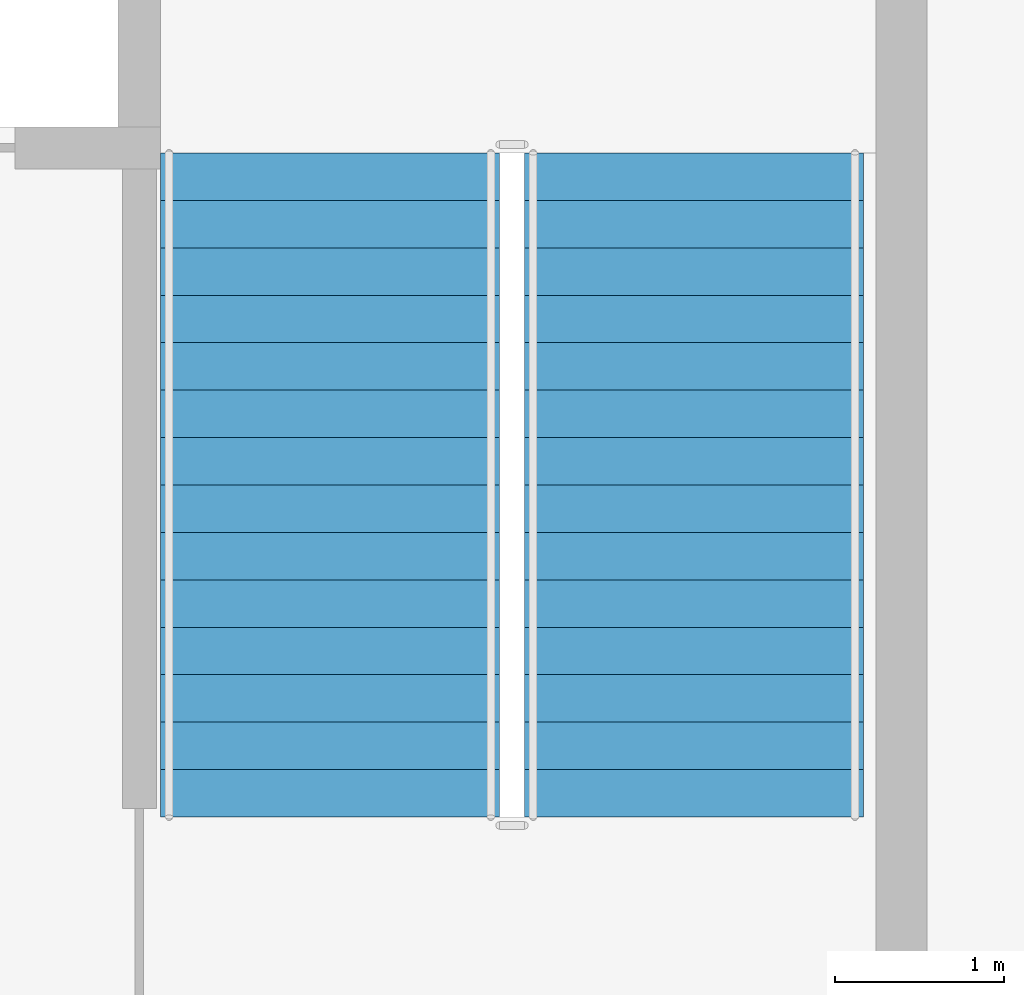
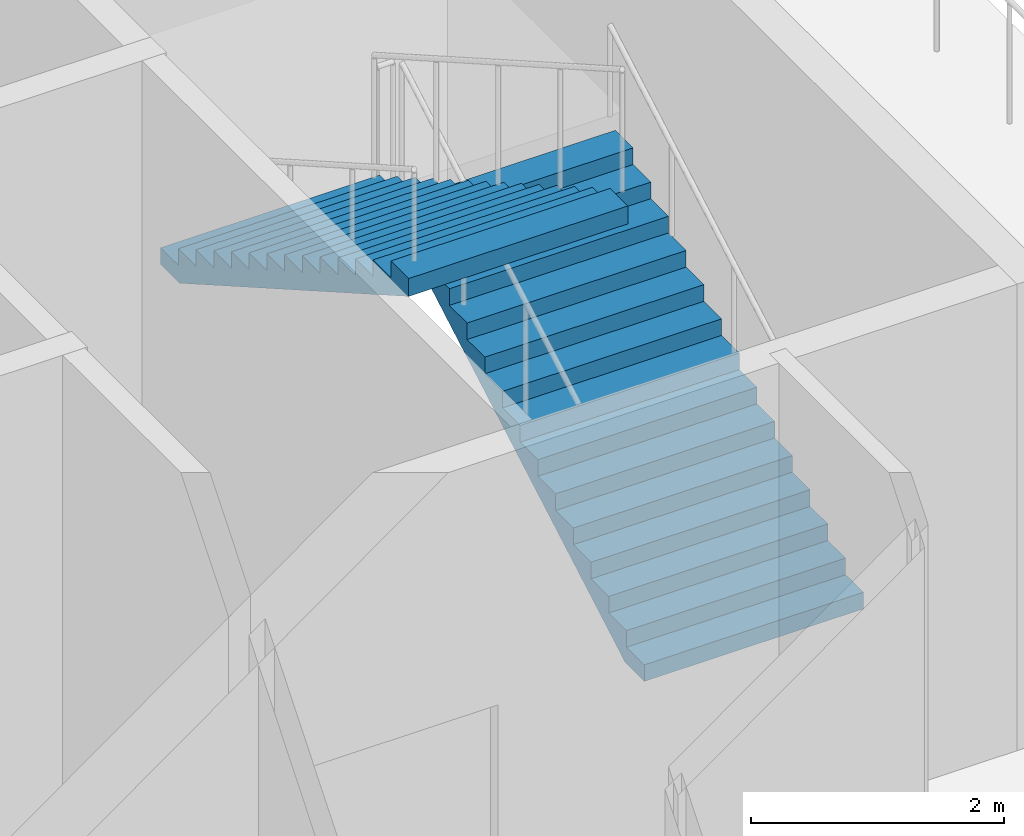
# One storey, part 6 of 10: 2 stair flights, 1 element without a shape of its own.
"""IFC4 building model written with IfcOpenShell, lengths in metres."""

from ifc_helpers import new_model, si_unit, direction, frame, origin, place, context, subcontext, project, spatial, polygons, material, type_object, element, aggregate, save


model = new_model("IFC4")

# Units and contexts
model_context = context("Model", 3, precision=1e-05, world=origin(), true_north=direction((0.0, 1.0)))
body_context = subcontext(model_context, "Body", "Model", "MODEL_VIEW")
ifc_project = project(units=[si_unit("LENGTHUNIT", "METRE"), si_unit("AREAUNIT", "SQUARE_METRE"), si_unit("VOLUMEUNIT", "CUBIC_METRE"), si_unit("PLANEANGLEUNIT", "RADIAN"), si_unit("MASSUNIT", "GRAM", prefix="KILO")], contexts=[model_context])

# Site, building, storey
site_placement = place(None, origin())
site = spatial("IfcSite", under=ifc_project, at=site_placement, CompositionType="ELEMENT")
building_placement = place(site_placement, origin())
building = spatial("IfcBuilding", under=site, at=building_placement, Name="Caravel Reach Hotel and Residences", CompositionType="ELEMENT")
storey_placement = place(building_placement, frame((0.0, 0.0, 233.10009765625)))
storey = spatial("IfcBuildingStorey", under=building, at=storey_placement, Name="L59", CompositionType="ELEMENT", Elevation=233.10009765625)

# Stair, stair flights
ifc_material_1 = material(Name="Concrete C40", Category="concrete")
stair_type = type_object("IfcStairType", Name="Core stair", PredefinedType="HALF_TURN_STAIR", material=ifc_material_1)
stair_placement = place(storey_placement, origin())
stair = element("IfcStair", 1, at=stair_placement, inside=storey, type_object=stair_type, Name="L59 Exit stair B", PredefinedType="HALF_TURN_STAIR")
ifc_material_2 = material(Name="Concrete C40", Category="concrete")
stair_flight_type = type_object("IfcStairFlightType", Name="Core stair flight", PredefinedType="STRAIGHT", material=ifc_material_2)
stair_flight_1_placement = place(storey_placement, frame((43.77490234375, 24.64990234375, 0.0), z_axis=(0.0, 0.0, 1.0), x_axis=(0.0, 1.0, 0.0)))
stair_flight_1 = element("IfcStairFlight", 2, at=stair_flight_1_placement, type_object=stair_flight_type, Name="ST-B flight 1", NumberOfRisers=15, NumberOfTreads=14, PredefinedType="STRAIGHT", RiserHeight=0.16, TreadLength=0.28, context=body_context, shape_type="Tessellation", body=[
    polygons([(0.30213783309663755, 1.0, 0.0), (0.30213783309663755, 0.6666666666666667, 0.0), (0.30213783309663755, 0.33333333333333337, 0.0), (0.30213783309663755, 0.0, 0.0), (0.30213783309663755, -0.33333333333333326, 0.0), (0.30213783309663755, -0.6666666666666667, 0.0), (0.30213783309663755, -1.0, 0.0), (3.9210000000000003, 1.0, 2.0673498096590643), (3.9210000000000003, 0.6666666666666667, 2.0673498096590643), (3.9210000000000003, 0.33333333333333337, 2.0673498096590643), (3.9210000000000003, 0.0, 2.0673498096590643), (3.9210000000000003, -0.33333333333333326, 2.0673498096590643), (3.9210000000000003, -0.6666666666666667, 2.0673498096590643), (3.9210000000000003, -1.0, 2.0673498096590643), (3.9210000000000003, 1.0, 2.24), (3.9210000000000003, 0.6666666666666667, 2.24), (3.9210000000000003, 0.33333333333333337, 2.24), (3.9210000000000003, 0.0, 2.24), (3.9210000000000003, -0.33333333333333326, 2.24), (3.9210000000000003, -0.6666666666666667, 2.24), (3.9210000000000003, -1.0, 2.24), (3.6400000000000006, 1.0, 2.24), (3.6400000000000006, 0.6666666666666667, 2.24), (3.6400000000000006, 0.33333333333333337, 2.24), (3.6400000000000006, 0.0, 2.24), (3.6400000000000006, -0.33333333333333326, 2.24), (3.6400000000000006, -0.6666666666666667, 2.24), (3.6400000000000006, -1.0, 2.24), (3.6400000000000006, 1.0, 2.08), (3.6400000000000006, 0.6666666666666667, 2.08), (3.6400000000000006, 0.33333333333333337, 2.08), (3.6400000000000006, 0.0, 2.08), (3.6400000000000006, -0.33333333333333326, 2.08), (3.6400000000000006, -0.6666666666666667, 2.08), (3.6400000000000006, -1.0, 2.08), (3.3600000000000003, 1.0, 2.08), (3.3600000000000003, 0.6666666666666667, 2.08), (3.3600000000000003, 0.33333333333333337, 2.08), (3.3600000000000003, 0.0, 2.08), (3.3600000000000003, -0.33333333333333326, 2.08), (3.3600000000000003, -0.6666666666666667, 2.08), (3.3600000000000003, -1.0, 2.08), (3.3600000000000003, 1.0, 1.92), (3.3600000000000003, 0.6666666666666667, 1.92), (3.3600000000000003, 0.33333333333333337, 1.92), (3.3600000000000003, 0.0, 1.92), (3.3600000000000003, -0.33333333333333326, 1.92), (3.3600000000000003, -0.6666666666666667, 1.92), (3.3600000000000003, -1.0, 1.92), (3.08, 1.0, 1.92), (3.08, 0.6666666666666667, 1.92), (3.08, 0.33333333333333337, 1.92), (3.08, 0.0, 1.92), (3.08, -0.33333333333333326, 1.92), (3.08, -0.6666666666666667, 1.92), (3.08, -1.0, 1.92), (3.08, 1.0, 1.76), (3.08, 0.6666666666666667, 1.76), (3.08, 0.33333333333333337, 1.76), (3.08, 0.0, 1.76), (3.08, -0.33333333333333326, 1.76), (3.08, -0.6666666666666667, 1.76), (3.08, -1.0, 1.76), (2.8000000000000003, 1.0, 1.76), (2.8000000000000003, 0.6666666666666667, 1.76), (2.8000000000000003, 0.33333333333333337, 1.76), (2.8000000000000003, 0.0, 1.76), (2.8000000000000003, -0.33333333333333326, 1.76), (2.8000000000000003, -0.6666666666666667, 1.76), (2.8000000000000003, -1.0, 1.76), (2.8000000000000003, 1.0, 1.6), (2.8000000000000003, 0.6666666666666667, 1.6), (2.8000000000000003, 0.33333333333333337, 1.6), (2.8000000000000003, 0.0, 1.6), (2.8000000000000003, -0.33333333333333326, 1.6), (2.8000000000000003, -0.6666666666666667, 1.6), (2.8000000000000003, -1.0, 1.6), (2.5200000000000005, 1.0, 1.6), (2.5200000000000005, 0.6666666666666667, 1.6), (2.5200000000000005, 0.33333333333333337, 1.6), (2.5200000000000005, 0.0, 1.6), (2.5200000000000005, -0.33333333333333326, 1.6), (2.5200000000000005, -0.6666666666666667, 1.6), (2.5200000000000005, -1.0, 1.6), (2.5200000000000005, 1.0, 1.44), (2.5200000000000005, 0.6666666666666667, 1.44), (2.5200000000000005, 0.33333333333333337, 1.44), (2.5200000000000005, 0.0, 1.44), (2.5200000000000005, -0.33333333333333326, 1.44), (2.5200000000000005, -0.6666666666666667, 1.44), (2.5200000000000005, -1.0, 1.44), (2.24, 1.0, 1.44), (2.24, 0.6666666666666667, 1.44), (2.24, 0.33333333333333337, 1.44), (2.24, 0.0, 1.44), (2.24, -0.33333333333333326, 1.44), (2.24, -0.6666666666666667, 1.44), (2.24, -1.0, 1.44), (2.24, 1.0, 1.28), (2.24, 0.6666666666666667, 1.28), (2.24, 0.33333333333333337, 1.28), (2.24, 0.0, 1.28), (2.24, -0.33333333333333326, 1.28), (2.24, -0.6666666666666667, 1.28), (2.24, -1.0, 1.28), (1.9600000000000002, 1.0, 1.28), (1.9600000000000002, 0.6666666666666667, 1.28), (1.9600000000000002, 0.33333333333333337, 1.28), (1.9600000000000002, 0.0, 1.28), (1.9600000000000002, -0.33333333333333326, 1.28), (1.9600000000000002, -0.6666666666666667, 1.28), (1.9600000000000002, -1.0, 1.28), (1.9600000000000002, 1.0, 1.12), (1.9600000000000002, 0.6666666666666667, 1.12), (1.9600000000000002, 0.33333333333333337, 1.12), (1.9600000000000002, 0.0, 1.12), (1.9600000000000002, -0.33333333333333326, 1.12), (1.9600000000000002, -0.6666666666666667, 1.12), (1.9600000000000002, -1.0, 1.12), (1.6800000000000002, 1.0, 1.12), (1.6800000000000002, 0.6666666666666667, 1.12), (1.6800000000000002, 0.33333333333333337, 1.12), (1.6800000000000002, 0.0, 1.12), (1.6800000000000002, -0.33333333333333326, 1.12), (1.6800000000000002, -0.6666666666666667, 1.12), (1.6800000000000002, -1.0, 1.12), (1.6800000000000002, 1.0, 0.96), (1.6800000000000002, 0.6666666666666667, 0.96), (1.6800000000000002, 0.33333333333333337, 0.96), (1.6800000000000002, 0.0, 0.96), (1.6800000000000002, -0.33333333333333326, 0.96), (1.6800000000000002, -0.6666666666666667, 0.96), (1.6800000000000002, -1.0, 0.96), (1.4000000000000001, 1.0, 0.96), (1.4000000000000001, 0.6666666666666667, 0.96), (1.4000000000000001, 0.33333333333333337, 0.96), (1.4000000000000001, 0.0, 0.96), (1.4000000000000001, -0.33333333333333326, 0.96), (1.4000000000000001, -0.6666666666666667, 0.96), (1.4000000000000001, -1.0, 0.96), (1.4000000000000001, 1.0, 0.8), (1.4000000000000001, 0.6666666666666667, 0.8), (1.4000000000000001, 0.33333333333333337, 0.8), (1.4000000000000001, 0.0, 0.8), (1.4000000000000001, -0.33333333333333326, 0.8), (1.4000000000000001, -0.6666666666666667, 0.8), (1.4000000000000001, -1.0, 0.8), (1.12, 1.0, 0.8), (1.12, 0.6666666666666667, 0.8), (1.12, 0.33333333333333337, 0.8), (1.12, 0.0, 0.8), (1.12, -0.33333333333333326, 0.8), (1.12, -0.6666666666666667, 0.8), (1.12, -1.0, 0.8), (1.12, 1.0, 0.64), (1.12, 0.6666666666666667, 0.64), (1.12, 0.33333333333333337, 0.64), (1.12, 0.0, 0.64), (1.12, -0.33333333333333326, 0.64), (1.12, -0.6666666666666667, 0.64), (1.12, -1.0, 0.64), (0.8400000000000001, 1.0, 0.64), (0.8400000000000001, 0.6666666666666667, 0.64), (0.8400000000000001, 0.33333333333333337, 0.64), (0.8400000000000001, 0.0, 0.64), (0.8400000000000001, -0.33333333333333326, 0.64), (0.8400000000000001, -0.6666666666666667, 0.64), (0.8400000000000001, -1.0, 0.64), (0.8400000000000001, 1.0, 0.48), (0.8400000000000001, 0.6666666666666667, 0.48), (0.8400000000000001, 0.33333333333333337, 0.48), (0.8400000000000001, 0.0, 0.48), (0.8400000000000001, -0.33333333333333326, 0.48), (0.8400000000000001, -0.6666666666666667, 0.48), (0.8400000000000001, -1.0, 0.48), (0.56, 1.0, 0.48), (0.56, 0.6666666666666667, 0.48), (0.56, 0.33333333333333337, 0.48), (0.56, 0.0, 0.48), (0.56, -0.33333333333333326, 0.48), (0.56, -0.6666666666666667, 0.48), (0.56, -1.0, 0.48), (0.56, 1.0, 0.32), (0.56, 0.6666666666666667, 0.32), (0.56, 0.33333333333333337, 0.32), (0.56, 0.0, 0.32), (0.56, -0.33333333333333326, 0.32), (0.56, -0.6666666666666667, 0.32), (0.56, -1.0, 0.32), (0.28, 1.0, 0.32), (0.28, 0.6666666666666667, 0.32), (0.28, 0.33333333333333337, 0.32), (0.28, 0.0, 0.32), (0.28, -0.33333333333333326, 0.32), (0.28, -0.6666666666666667, 0.32), (0.28, -1.0, 0.32), (0.28, 1.0, 0.16), (0.28, 0.6666666666666667, 0.16), (0.28, 0.33333333333333337, 0.16), (0.28, 0.0, 0.16), (0.28, -0.33333333333333326, 0.16), (0.28, -0.6666666666666667, 0.16), (0.28, -1.0, 0.16), (-0.001, 1.0, 0.16), (-0.001, 0.6666666666666667, 0.16), (-0.001, 0.33333333333333337, 0.16), (-0.001, 0.0, 0.16), (-0.001, -0.33333333333333326, 0.16), (-0.001, -0.6666666666666667, 0.16), (-0.001, -1.0, 0.16), (-0.001, 1.0, 0.0), (-0.001, 0.6666666666666667, 0.0), (-0.001, 0.33333333333333337, 0.0), (-0.001, 0.0, 0.0), (-0.001, -0.33333333333333326, 0.0), (-0.001, -0.6666666666666667, 0.0), (-0.001, -1.0, 0.0)], [[[211, 204, 197, 190, 183, 176, 169, 162, 155, 148, 141, 134, 127, 120, 113, 106, 99, 92, 85, 78, 71, 64, 57, 50, 43, 36, 29, 22, 15, 8, 1]], [[7, 14, 21, 28, 35, 42, 49, 56, 63, 70, 77, 84, 91, 98, 105, 112, 119, 126, 133, 140, 147, 154, 161, 168, 175, 182, 189, 196, 203, 210, 217]], [[1, 8, 9, 2]], [[2, 9, 10, 3]], [[3, 10, 11, 4]], [[4, 11, 12, 5]], [[5, 12, 13, 6]], [[6, 13, 14, 7]], [[8, 15, 16, 9]], [[9, 16, 17, 10]], [[10, 17, 18, 11]], [[11, 18, 19, 12]], [[12, 19, 20, 13]], [[13, 20, 21, 14]], [[15, 22, 23, 16]], [[16, 23, 24, 17]], [[17, 24, 25, 18]], [[18, 25, 26, 19]], [[19, 26, 27, 20]], [[20, 27, 28, 21]], [[22, 29, 30, 23]], [[23, 30, 31, 24]], [[24, 31, 32, 25]], [[25, 32, 33, 26]], [[26, 33, 34, 27]], [[27, 34, 35, 28]], [[29, 36, 37, 30]], [[30, 37, 38, 31]], [[31, 38, 39, 32]], [[32, 39, 40, 33]], [[33, 40, 41, 34]], [[34, 41, 42, 35]], [[36, 43, 44, 37]], [[37, 44, 45, 38]], [[38, 45, 46, 39]], [[39, 46, 47, 40]], [[40, 47, 48, 41]], [[41, 48, 49, 42]], [[43, 50, 51, 44]], [[44, 51, 52, 45]], [[45, 52, 53, 46]], [[46, 53, 54, 47]], [[47, 54, 55, 48]], [[48, 55, 56, 49]], [[50, 57, 58, 51]], [[51, 58, 59, 52]], [[52, 59, 60, 53]], [[53, 60, 61, 54]], [[54, 61, 62, 55]], [[55, 62, 63, 56]], [[57, 64, 65, 58]], [[58, 65, 66, 59]], [[59, 66, 67, 60]], [[60, 67, 68, 61]], [[61, 68, 69, 62]], [[62, 69, 70, 63]], [[64, 71, 72, 65]], [[65, 72, 73, 66]], [[66, 73, 74, 67]], [[67, 74, 75, 68]], [[68, 75, 76, 69]], [[69, 76, 77, 70]], [[71, 78, 79, 72]], [[72, 79, 80, 73]], [[73, 80, 81, 74]], [[74, 81, 82, 75]], [[75, 82, 83, 76]], [[76, 83, 84, 77]], [[78, 85, 86, 79]], [[79, 86, 87, 80]], [[80, 87, 88, 81]], [[81, 88, 89, 82]], [[82, 89, 90, 83]], [[83, 90, 91, 84]], [[85, 92, 93, 86]], [[86, 93, 94, 87]], [[87, 94, 95, 88]], [[88, 95, 96, 89]], [[89, 96, 97, 90]], [[90, 97, 98, 91]], [[92, 99, 100, 93]], [[93, 100, 101, 94]], [[94, 101, 102, 95]], [[95, 102, 103, 96]], [[96, 103, 104, 97]], [[97, 104, 105, 98]], [[99, 106, 107, 100]], [[100, 107, 108, 101]], [[101, 108, 109, 102]], [[102, 109, 110, 103]], [[103, 110, 111, 104]], [[104, 111, 112, 105]], [[106, 113, 114, 107]], [[107, 114, 115, 108]], [[108, 115, 116, 109]], [[109, 116, 117, 110]], [[110, 117, 118, 111]], [[111, 118, 119, 112]], [[113, 120, 121, 114]], [[114, 121, 122, 115]], [[115, 122, 123, 116]], [[116, 123, 124, 117]], [[117, 124, 125, 118]], [[118, 125, 126, 119]], [[120, 127, 128, 121]], [[121, 128, 129, 122]], [[122, 129, 130, 123]], [[123, 130, 131, 124]], [[124, 131, 132, 125]], [[125, 132, 133, 126]], [[127, 134, 135, 128]], [[128, 135, 136, 129]], [[129, 136, 137, 130]], [[130, 137, 138, 131]], [[131, 138, 139, 132]], [[132, 139, 140, 133]], [[134, 141, 142, 135]], [[135, 142, 143, 136]], [[136, 143, 144, 137]], [[137, 144, 145, 138]], [[138, 145, 146, 139]], [[139, 146, 147, 140]], [[141, 148, 149, 142]], [[142, 149, 150, 143]], [[143, 150, 151, 144]], [[144, 151, 152, 145]], [[145, 152, 153, 146]], [[146, 153, 154, 147]], [[148, 155, 156, 149]], [[149, 156, 157, 150]], [[150, 157, 158, 151]], [[151, 158, 159, 152]], [[152, 159, 160, 153]], [[153, 160, 161, 154]], [[155, 162, 163, 156]], [[156, 163, 164, 157]], [[157, 164, 165, 158]], [[158, 165, 166, 159]], [[159, 166, 167, 160]], [[160, 167, 168, 161]], [[162, 169, 170, 163]], [[163, 170, 171, 164]], [[164, 171, 172, 165]], [[165, 172, 173, 166]], [[166, 173, 174, 167]], [[167, 174, 175, 168]], [[169, 176, 177, 170]], [[170, 177, 178, 171]], [[171, 178, 179, 172]], [[172, 179, 180, 173]], [[173, 180, 181, 174]], [[174, 181, 182, 175]], [[176, 183, 184, 177]], [[177, 184, 185, 178]], [[178, 185, 186, 179]], [[179, 186, 187, 180]], [[180, 187, 188, 181]], [[181, 188, 189, 182]], [[183, 190, 191, 184]], [[184, 191, 192, 185]], [[185, 192, 193, 186]], [[186, 193, 194, 187]], [[187, 194, 195, 188]], [[188, 195, 196, 189]], [[190, 197, 198, 191]], [[191, 198, 199, 192]], [[192, 199, 200, 193]], [[193, 200, 201, 194]], [[194, 201, 202, 195]], [[195, 202, 203, 196]], [[197, 204, 205, 198]], [[198, 205, 206, 199]], [[199, 206, 207, 200]], [[200, 207, 208, 201]], [[201, 208, 209, 202]], [[202, 209, 210, 203]], [[204, 211, 212, 205]], [[205, 212, 213, 206]], [[206, 213, 214, 207]], [[207, 214, 215, 208]], [[208, 215, 216, 209]], [[209, 216, 217, 210]], [[211, 1, 2, 212]], [[212, 2, 3, 213]], [[213, 3, 4, 214]], [[214, 4, 5, 215]], [[215, 5, 6, 216]], [[216, 6, 7, 217]]], closed=True),
])
stair_flight_2_placement = place(storey_placement, frame((41.625, 28.570068359375, 2.39990234375), z_axis=(0.0, 0.0, 1.0), x_axis=(0.0, -1.0, 0.0)))
stair_flight_2 = element("IfcStairFlight", 3, at=stair_flight_2_placement, type_object=stair_flight_type, Name="ST-B flight 2", NumberOfRisers=15, NumberOfTreads=14, PredefinedType="STRAIGHT", RiserHeight=0.16, TreadLength=0.28, context=body_context, shape_type="Tessellation", body=[
    polygons([(0.30213783309663755, 1.0, 0.0), (0.30213783309663755, 0.6666666666666667, 0.0), (0.30213783309663755, 0.33333333333333337, 0.0), (0.30213783309663755, 0.0, 0.0), (0.30213783309663755, -0.33333333333333326, 0.0), (0.30213783309663755, -0.6666666666666667, 0.0), (0.30213783309663755, -1.0, 0.0), (3.9210000000000003, 1.0, 2.0673498096590643), (3.9210000000000003, 0.6666666666666667, 2.0673498096590643), (3.9210000000000003, 0.33333333333333337, 2.0673498096590643), (3.9210000000000003, 0.0, 2.0673498096590643), (3.9210000000000003, -0.33333333333333326, 2.0673498096590643), (3.9210000000000003, -0.6666666666666667, 2.0673498096590643), (3.9210000000000003, -1.0, 2.0673498096590643), (3.9210000000000003, 1.0, 2.24), (3.9210000000000003, 0.6666666666666667, 2.24), (3.9210000000000003, 0.33333333333333337, 2.24), (3.9210000000000003, 0.0, 2.24), (3.9210000000000003, -0.33333333333333326, 2.24), (3.9210000000000003, -0.6666666666666667, 2.24), (3.9210000000000003, -1.0, 2.24), (3.6400000000000006, 1.0, 2.24), (3.6400000000000006, 0.6666666666666667, 2.24), (3.6400000000000006, 0.33333333333333337, 2.24), (3.6400000000000006, 0.0, 2.24), (3.6400000000000006, -0.33333333333333326, 2.24), (3.6400000000000006, -0.6666666666666667, 2.24), (3.6400000000000006, -1.0, 2.24), (3.6400000000000006, 1.0, 2.08), (3.6400000000000006, 0.6666666666666667, 2.08), (3.6400000000000006, 0.33333333333333337, 2.08), (3.6400000000000006, 0.0, 2.08), (3.6400000000000006, -0.33333333333333326, 2.08), (3.6400000000000006, -0.6666666666666667, 2.08), (3.6400000000000006, -1.0, 2.08), (3.3600000000000003, 1.0, 2.08), (3.3600000000000003, 0.6666666666666667, 2.08), (3.3600000000000003, 0.33333333333333337, 2.08), (3.3600000000000003, 0.0, 2.08), (3.3600000000000003, -0.33333333333333326, 2.08), (3.3600000000000003, -0.6666666666666667, 2.08), (3.3600000000000003, -1.0, 2.08), (3.3600000000000003, 1.0, 1.92), (3.3600000000000003, 0.6666666666666667, 1.92), (3.3600000000000003, 0.33333333333333337, 1.92), (3.3600000000000003, 0.0, 1.92), (3.3600000000000003, -0.33333333333333326, 1.92), (3.3600000000000003, -0.6666666666666667, 1.92), (3.3600000000000003, -1.0, 1.92), (3.08, 1.0, 1.92), (3.08, 0.6666666666666667, 1.92), (3.08, 0.33333333333333337, 1.92), (3.08, 0.0, 1.92), (3.08, -0.33333333333333326, 1.92), (3.08, -0.6666666666666667, 1.92), (3.08, -1.0, 1.92), (3.08, 1.0, 1.76), (3.08, 0.6666666666666667, 1.76), (3.08, 0.33333333333333337, 1.76), (3.08, 0.0, 1.76), (3.08, -0.33333333333333326, 1.76), (3.08, -0.6666666666666667, 1.76), (3.08, -1.0, 1.76), (2.8000000000000003, 1.0, 1.76), (2.8000000000000003, 0.6666666666666667, 1.76), (2.8000000000000003, 0.33333333333333337, 1.76), (2.8000000000000003, 0.0, 1.76), (2.8000000000000003, -0.33333333333333326, 1.76), (2.8000000000000003, -0.6666666666666667, 1.76), (2.8000000000000003, -1.0, 1.76), (2.8000000000000003, 1.0, 1.6), (2.8000000000000003, 0.6666666666666667, 1.6), (2.8000000000000003, 0.33333333333333337, 1.6), (2.8000000000000003, 0.0, 1.6), (2.8000000000000003, -0.33333333333333326, 1.6), (2.8000000000000003, -0.6666666666666667, 1.6), (2.8000000000000003, -1.0, 1.6), (2.5200000000000005, 1.0, 1.6), (2.5200000000000005, 0.6666666666666667, 1.6), (2.5200000000000005, 0.33333333333333337, 1.6), (2.5200000000000005, 0.0, 1.6), (2.5200000000000005, -0.33333333333333326, 1.6), (2.5200000000000005, -0.6666666666666667, 1.6), (2.5200000000000005, -1.0, 1.6), (2.5200000000000005, 1.0, 1.44), (2.5200000000000005, 0.6666666666666667, 1.44), (2.5200000000000005, 0.33333333333333337, 1.44), (2.5200000000000005, 0.0, 1.44), (2.5200000000000005, -0.33333333333333326, 1.44), (2.5200000000000005, -0.6666666666666667, 1.44), (2.5200000000000005, -1.0, 1.44), (2.24, 1.0, 1.44), (2.24, 0.6666666666666667, 1.44), (2.24, 0.33333333333333337, 1.44), (2.24, 0.0, 1.44), (2.24, -0.33333333333333326, 1.44), (2.24, -0.6666666666666667, 1.44), (2.24, -1.0, 1.44), (2.24, 1.0, 1.28), (2.24, 0.6666666666666667, 1.28), (2.24, 0.33333333333333337, 1.28), (2.24, 0.0, 1.28), (2.24, -0.33333333333333326, 1.28), (2.24, -0.6666666666666667, 1.28), (2.24, -1.0, 1.28), (1.9600000000000002, 1.0, 1.28), (1.9600000000000002, 0.6666666666666667, 1.28), (1.9600000000000002, 0.33333333333333337, 1.28), (1.9600000000000002, 0.0, 1.28), (1.9600000000000002, -0.33333333333333326, 1.28), (1.9600000000000002, -0.6666666666666667, 1.28), (1.9600000000000002, -1.0, 1.28), (1.9600000000000002, 1.0, 1.12), (1.9600000000000002, 0.6666666666666667, 1.12), (1.9600000000000002, 0.33333333333333337, 1.12), (1.9600000000000002, 0.0, 1.12), (1.9600000000000002, -0.33333333333333326, 1.12), (1.9600000000000002, -0.6666666666666667, 1.12), (1.9600000000000002, -1.0, 1.12), (1.6800000000000002, 1.0, 1.12), (1.6800000000000002, 0.6666666666666667, 1.12), (1.6800000000000002, 0.33333333333333337, 1.12), (1.6800000000000002, 0.0, 1.12), (1.6800000000000002, -0.33333333333333326, 1.12), (1.6800000000000002, -0.6666666666666667, 1.12), (1.6800000000000002, -1.0, 1.12), (1.6800000000000002, 1.0, 0.96), (1.6800000000000002, 0.6666666666666667, 0.96), (1.6800000000000002, 0.33333333333333337, 0.96), (1.6800000000000002, 0.0, 0.96), (1.6800000000000002, -0.33333333333333326, 0.96), (1.6800000000000002, -0.6666666666666667, 0.96), (1.6800000000000002, -1.0, 0.96), (1.4000000000000001, 1.0, 0.96), (1.4000000000000001, 0.6666666666666667, 0.96), (1.4000000000000001, 0.33333333333333337, 0.96), (1.4000000000000001, 0.0, 0.96), (1.4000000000000001, -0.33333333333333326, 0.96), (1.4000000000000001, -0.6666666666666667, 0.96), (1.4000000000000001, -1.0, 0.96), (1.4000000000000001, 1.0, 0.8), (1.4000000000000001, 0.6666666666666667, 0.8), (1.4000000000000001, 0.33333333333333337, 0.8), (1.4000000000000001, 0.0, 0.8), (1.4000000000000001, -0.33333333333333326, 0.8), (1.4000000000000001, -0.6666666666666667, 0.8), (1.4000000000000001, -1.0, 0.8), (1.12, 1.0, 0.8), (1.12, 0.6666666666666667, 0.8), (1.12, 0.33333333333333337, 0.8), (1.12, 0.0, 0.8), (1.12, -0.33333333333333326, 0.8), (1.12, -0.6666666666666667, 0.8), (1.12, -1.0, 0.8), (1.12, 1.0, 0.64), (1.12, 0.6666666666666667, 0.64), (1.12, 0.33333333333333337, 0.64), (1.12, 0.0, 0.64), (1.12, -0.33333333333333326, 0.64), (1.12, -0.6666666666666667, 0.64), (1.12, -1.0, 0.64), (0.8400000000000001, 1.0, 0.64), (0.8400000000000001, 0.6666666666666667, 0.64), (0.8400000000000001, 0.33333333333333337, 0.64), (0.8400000000000001, 0.0, 0.64), (0.8400000000000001, -0.33333333333333326, 0.64), (0.8400000000000001, -0.6666666666666667, 0.64), (0.8400000000000001, -1.0, 0.64), (0.8400000000000001, 1.0, 0.48), (0.8400000000000001, 0.6666666666666667, 0.48), (0.8400000000000001, 0.33333333333333337, 0.48), (0.8400000000000001, 0.0, 0.48), (0.8400000000000001, -0.33333333333333326, 0.48), (0.8400000000000001, -0.6666666666666667, 0.48), (0.8400000000000001, -1.0, 0.48), (0.56, 1.0, 0.48), (0.56, 0.6666666666666667, 0.48), (0.56, 0.33333333333333337, 0.48), (0.56, 0.0, 0.48), (0.56, -0.33333333333333326, 0.48), (0.56, -0.6666666666666667, 0.48), (0.56, -1.0, 0.48), (0.56, 1.0, 0.32), (0.56, 0.6666666666666667, 0.32), (0.56, 0.33333333333333337, 0.32), (0.56, 0.0, 0.32), (0.56, -0.33333333333333326, 0.32), (0.56, -0.6666666666666667, 0.32), (0.56, -1.0, 0.32), (0.28, 1.0, 0.32), (0.28, 0.6666666666666667, 0.32), (0.28, 0.33333333333333337, 0.32), (0.28, 0.0, 0.32), (0.28, -0.33333333333333326, 0.32), (0.28, -0.6666666666666667, 0.32), (0.28, -1.0, 0.32), (0.28, 1.0, 0.16), (0.28, 0.6666666666666667, 0.16), (0.28, 0.33333333333333337, 0.16), (0.28, 0.0, 0.16), (0.28, -0.33333333333333326, 0.16), (0.28, -0.6666666666666667, 0.16), (0.28, -1.0, 0.16), (-0.001, 1.0, 0.16), (-0.001, 0.6666666666666667, 0.16), (-0.001, 0.33333333333333337, 0.16), (-0.001, 0.0, 0.16), (-0.001, -0.33333333333333326, 0.16), (-0.001, -0.6666666666666667, 0.16), (-0.001, -1.0, 0.16), (-0.001, 1.0, 0.0), (-0.001, 0.6666666666666667, 0.0), (-0.001, 0.33333333333333337, 0.0), (-0.001, 0.0, 0.0), (-0.001, -0.33333333333333326, 0.0), (-0.001, -0.6666666666666667, 0.0), (-0.001, -1.0, 0.0)], [[[211, 204, 197, 190, 183, 176, 169, 162, 155, 148, 141, 134, 127, 120, 113, 106, 99, 92, 85, 78, 71, 64, 57, 50, 43, 36, 29, 22, 15, 8, 1]], [[7, 14, 21, 28, 35, 42, 49, 56, 63, 70, 77, 84, 91, 98, 105, 112, 119, 126, 133, 140, 147, 154, 161, 168, 175, 182, 189, 196, 203, 210, 217]], [[1, 8, 9, 2]], [[2, 9, 10, 3]], [[3, 10, 11, 4]], [[4, 11, 12, 5]], [[5, 12, 13, 6]], [[6, 13, 14, 7]], [[8, 15, 16, 9]], [[9, 16, 17, 10]], [[10, 17, 18, 11]], [[11, 18, 19, 12]], [[12, 19, 20, 13]], [[13, 20, 21, 14]], [[15, 22, 23, 16]], [[16, 23, 24, 17]], [[17, 24, 25, 18]], [[18, 25, 26, 19]], [[19, 26, 27, 20]], [[20, 27, 28, 21]], [[22, 29, 30, 23]], [[23, 30, 31, 24]], [[24, 31, 32, 25]], [[25, 32, 33, 26]], [[26, 33, 34, 27]], [[27, 34, 35, 28]], [[29, 36, 37, 30]], [[30, 37, 38, 31]], [[31, 38, 39, 32]], [[32, 39, 40, 33]], [[33, 40, 41, 34]], [[34, 41, 42, 35]], [[36, 43, 44, 37]], [[37, 44, 45, 38]], [[38, 45, 46, 39]], [[39, 46, 47, 40]], [[40, 47, 48, 41]], [[41, 48, 49, 42]], [[43, 50, 51, 44]], [[44, 51, 52, 45]], [[45, 52, 53, 46]], [[46, 53, 54, 47]], [[47, 54, 55, 48]], [[48, 55, 56, 49]], [[50, 57, 58, 51]], [[51, 58, 59, 52]], [[52, 59, 60, 53]], [[53, 60, 61, 54]], [[54, 61, 62, 55]], [[55, 62, 63, 56]], [[57, 64, 65, 58]], [[58, 65, 66, 59]], [[59, 66, 67, 60]], [[60, 67, 68, 61]], [[61, 68, 69, 62]], [[62, 69, 70, 63]], [[64, 71, 72, 65]], [[65, 72, 73, 66]], [[66, 73, 74, 67]], [[67, 74, 75, 68]], [[68, 75, 76, 69]], [[69, 76, 77, 70]], [[71, 78, 79, 72]], [[72, 79, 80, 73]], [[73, 80, 81, 74]], [[74, 81, 82, 75]], [[75, 82, 83, 76]], [[76, 83, 84, 77]], [[78, 85, 86, 79]], [[79, 86, 87, 80]], [[80, 87, 88, 81]], [[81, 88, 89, 82]], [[82, 89, 90, 83]], [[83, 90, 91, 84]], [[85, 92, 93, 86]], [[86, 93, 94, 87]], [[87, 94, 95, 88]], [[88, 95, 96, 89]], [[89, 96, 97, 90]], [[90, 97, 98, 91]], [[92, 99, 100, 93]], [[93, 100, 101, 94]], [[94, 101, 102, 95]], [[95, 102, 103, 96]], [[96, 103, 104, 97]], [[97, 104, 105, 98]], [[99, 106, 107, 100]], [[100, 107, 108, 101]], [[101, 108, 109, 102]], [[102, 109, 110, 103]], [[103, 110, 111, 104]], [[104, 111, 112, 105]], [[106, 113, 114, 107]], [[107, 114, 115, 108]], [[108, 115, 116, 109]], [[109, 116, 117, 110]], [[110, 117, 118, 111]], [[111, 118, 119, 112]], [[113, 120, 121, 114]], [[114, 121, 122, 115]], [[115, 122, 123, 116]], [[116, 123, 124, 117]], [[117, 124, 125, 118]], [[118, 125, 126, 119]], [[120, 127, 128, 121]], [[121, 128, 129, 122]], [[122, 129, 130, 123]], [[123, 130, 131, 124]], [[124, 131, 132, 125]], [[125, 132, 133, 126]], [[127, 134, 135, 128]], [[128, 135, 136, 129]], [[129, 136, 137, 130]], [[130, 137, 138, 131]], [[131, 138, 139, 132]], [[132, 139, 140, 133]], [[134, 141, 142, 135]], [[135, 142, 143, 136]], [[136, 143, 144, 137]], [[137, 144, 145, 138]], [[138, 145, 146, 139]], [[139, 146, 147, 140]], [[141, 148, 149, 142]], [[142, 149, 150, 143]], [[143, 150, 151, 144]], [[144, 151, 152, 145]], [[145, 152, 153, 146]], [[146, 153, 154, 147]], [[148, 155, 156, 149]], [[149, 156, 157, 150]], [[150, 157, 158, 151]], [[151, 158, 159, 152]], [[152, 159, 160, 153]], [[153, 160, 161, 154]], [[155, 162, 163, 156]], [[156, 163, 164, 157]], [[157, 164, 165, 158]], [[158, 165, 166, 159]], [[159, 166, 167, 160]], [[160, 167, 168, 161]], [[162, 169, 170, 163]], [[163, 170, 171, 164]], [[164, 171, 172, 165]], [[165, 172, 173, 166]], [[166, 173, 174, 167]], [[167, 174, 175, 168]], [[169, 176, 177, 170]], [[170, 177, 178, 171]], [[171, 178, 179, 172]], [[172, 179, 180, 173]], [[173, 180, 181, 174]], [[174, 181, 182, 175]], [[176, 183, 184, 177]], [[177, 184, 185, 178]], [[178, 185, 186, 179]], [[179, 186, 187, 180]], [[180, 187, 188, 181]], [[181, 188, 189, 182]], [[183, 190, 191, 184]], [[184, 191, 192, 185]], [[185, 192, 193, 186]], [[186, 193, 194, 187]], [[187, 194, 195, 188]], [[188, 195, 196, 189]], [[190, 197, 198, 191]], [[191, 198, 199, 192]], [[192, 199, 200, 193]], [[193, 200, 201, 194]], [[194, 201, 202, 195]], [[195, 202, 203, 196]], [[197, 204, 205, 198]], [[198, 205, 206, 199]], [[199, 206, 207, 200]], [[200, 207, 208, 201]], [[201, 208, 209, 202]], [[202, 209, 210, 203]], [[204, 211, 212, 205]], [[205, 212, 213, 206]], [[206, 213, 214, 207]], [[207, 214, 215, 208]], [[208, 215, 216, 209]], [[209, 216, 217, 210]], [[211, 1, 2, 212]], [[212, 2, 3, 213]], [[213, 3, 4, 214]], [[214, 4, 5, 215]], [[215, 5, 6, 216]], [[216, 6, 7, 217]]], closed=True),
])
aggregate(stair, [stair_flight_1, stair_flight_2])

save(model, "model.ifc")
